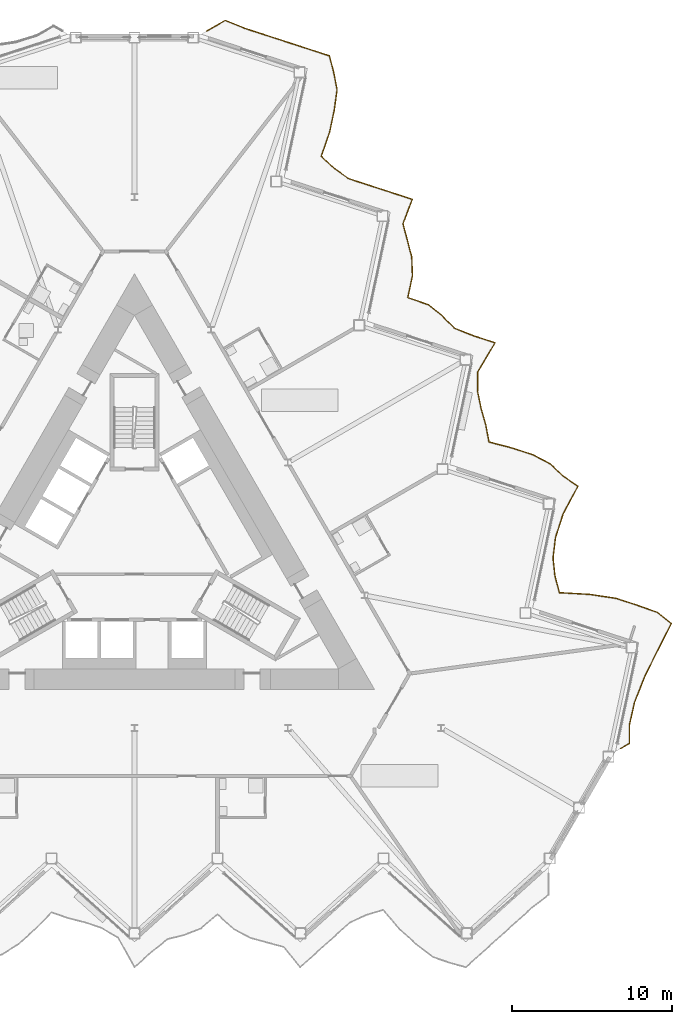
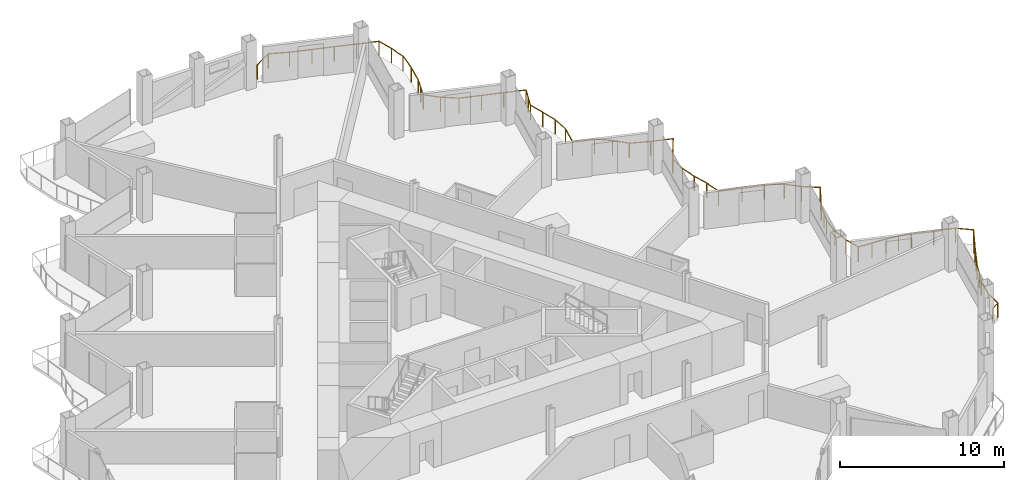
# One storey, part 21 of 23: 1 railing.
"""IFC4 building model written with IfcOpenShell, lengths in metres."""

from ifc_helpers import new_model, si_unit, direction, frame, origin, origin_2d, place, context, subcontext, project, spatial, circle, extrude, material, type_object, element, save


model = new_model("IFC4")

# Units and contexts
model_context = context("Model", 3, precision=1e-05, world=origin(), true_north=direction((0.0, 1.0)))
body_context = subcontext(model_context, "Body", "Model", "MODEL_VIEW")
ifc_project = project(units=[si_unit("LENGTHUNIT", "METRE"), si_unit("AREAUNIT", "SQUARE_METRE"), si_unit("VOLUMEUNIT", "CUBIC_METRE"), si_unit("PLANEANGLEUNIT", "RADIAN"), si_unit("MASSUNIT", "GRAM", prefix="KILO")], contexts=[model_context])

# Site, building, storey
site_placement = place(None, origin())
site = spatial("IfcSite", under=ifc_project, at=site_placement, CompositionType="ELEMENT")
building_placement = place(site_placement, origin())
building = spatial("IfcBuilding", under=site, at=building_placement, Name="Cormorant Prow Tower", CompositionType="ELEMENT")
storey_placement = place(building_placement, frame((0.0, 0.0, 241.800048828125)))
storey = spatial("IfcBuildingStorey", under=building, at=storey_placement, Name="L53", CompositionType="ELEMENT", Elevation=241.800048828125)

# Railing
ifc_material = material(Name="Aluminium 6063-T6", Category="aluminium")
railing_type = type_object("IfcRailingType", Name="Balcony guard 1100", PredefinedType="GUARDRAIL", material=ifc_material)
railing_placement = place(storey_placement, frame((30.37939453125, -12.34228515625, 0.0)))
element("IfcRailing", 1, at=railing_placement, inside=storey, type_object=railing_type, Name="Balcony guard ENE", PredefinedType="GUARDRAIL", context=body_context, shape_type="SweptSolid", body=[
    extrude(circle(Radius=0.02392578125, at=origin_2d()), frame((0.0, 0.0, 1.076171875), z_axis=(0.866204753408, 0.499689228594, 0.0), x_axis=(-0.499689228594, 0.866204753408, 0.0)), (0.0, 0.0, 1.0), 0.63623046875),
    extrude(circle(Radius=0.02392578125, at=origin_2d()), frame((0.551025390625, 0.31787109375, 1.076171875), z_axis=(0.002650887913, 0.99999648639, 0.0), x_axis=(-0.99999648639, 0.002650887913, 0.0)), (0.0, 0.0, 1.0), 1.197265625),
    extrude(circle(Radius=0.02392578125, at=origin_2d()), frame((0.55419921875, 1.51513671875, 1.076171875), z_axis=(0.220085341787, 0.975480621197, 0.0), x_axis=(-0.975480621197, 0.220085341787, 0.0)), (0.0, 0.0, 1.0), 1.40869140625),
    extrude(circle(Radius=0.02392578125, at=origin_2d()), frame((0.8642578125, 2.889404296875, 1.076171875), z_axis=(0.367163194895, 0.930156539683, 0.0), x_axis=(-0.930156539683, 0.367163194895, 0.0)), (0.0, 0.0, 1.0), 1.664306640625),
    extrude(circle(Radius=0.02392578125, at=origin_2d()), frame((1.475341796875, 4.4375, 1.076171875), z_axis=(0.440524924074, 0.897740380773, 0.0), x_axis=(-0.897740380773, 0.440524924074, 0.0)), (0.0, 0.0, 1.0), 1.857666015625),
    extrude(circle(Radius=0.02392578125, at=origin_2d()), frame((2.293701171875, 6.105224609375, 1.076171875), z_axis=(0.456399746897, 0.889774842886, 0.0), x_axis=(-0.889774842886, 0.456399746897, 0.0)), (0.0, 0.0, 1.0), 1.90869140625),
    extrude(circle(Radius=0.02392578125, at=origin_2d()), frame((3.164794921875, 7.803466796875, 1.076171875), z_axis=(-0.776161170753, 0.630534564489, 0.0), x_axis=(-0.630534564489, -0.776161170753, 0.0)), (0.0, 0.0, 1.0), 1.108154296875),
    extrude(circle(Radius=0.02392578125, at=origin_2d()), frame((2.3046875, 8.502197265625, 1.076171875), z_axis=(-0.942017958737, 0.335562461274, 0.0), x_axis=(-0.335562461274, -0.942017958737, 0.0)), (0.0, 0.0, 1.0), 1.359130859375),
    extrude(circle(Radius=0.02392578125, at=origin_2d()), frame((1.0244140625, 8.958251953125, 1.076171875), z_axis=(-0.951073984581, 0.308963227348, 0.0), x_axis=(-0.308963227348, -0.951073984581, 0.0)), (0.0, 0.0, 1.0), 1.39306640625),
    extrude(circle(Radius=0.02392578125, at=origin_2d()), frame((-0.300537109375, 9.388671875, 1.076171875), z_axis=(-0.989086538107, 0.147335739504, 0.0), x_axis=(-0.147335739504, -0.989086538107, 0.0)), (0.0, 0.0, 1.0), 1.66357421875),
    extrude(circle(Radius=0.02392578125, at=origin_2d()), frame((-1.946044921875, 9.6337890625, 1.076171875), z_axis=(-0.99835465144, 0.057340997094, 0.0), x_axis=(-0.057340997094, -0.99835465144, 0.0)), (0.0, 0.0, 1.0), 1.88623046875),
    extrude(circle(Radius=0.02392578125, at=origin_2d()), frame((-3.8291015625, 9.741943359375, 1.076171875), z_axis=(-0.259066355454, 0.965859525745, 0.0), x_axis=(-0.965859525745, -0.259066355454, 0.0)), (0.0, 0.0, 1.0), 1.071533203125),
    extrude(circle(Radius=0.02392578125, at=origin_2d()), frame((-4.106689453125, 10.77685546875, 1.076171875), z_axis=(-0.106974798109, 0.994261732427, 0.0), x_axis=(-0.994261732427, -0.106974798109, 0.0)), (0.0, 0.0, 1.0), 1.132080078125),
    extrude(circle(Radius=0.02392578125, at=origin_2d()), frame((-4.227783203125, 11.90234375, 1.076171875), z_axis=(0.120320103342, 0.992735147324, 0.0), x_axis=(-0.992735147324, 0.120320103342, 0.0)), (0.0, 0.0, 1.0), 1.294677734375),
    extrude(circle(Radius=0.02392578125, at=origin_2d()), frame((-4.072021484375, 13.1875, 1.076171875), z_axis=(0.305752765187, 0.95211094237, 0.0), x_axis=(-0.95211094237, 0.305752765187, 0.0)), (0.0, 0.0, 1.0), 1.541015625),
    extrude(circle(Radius=0.02392578125, at=origin_2d()), frame((-3.600830078125, 14.65478515625, 1.076171875), z_axis=(0.472907071696, 0.881112309266, 0.0), x_axis=(-0.881112309266, 0.472907071696, 0.0)), (0.0, 0.0, 1.0), 1.9658203125),
    extrude(circle(Radius=0.02392578125, at=origin_2d()), frame((-2.671142578125, 16.386962890625, 1.076171875), z_axis=(-0.823195618549, 0.567757847679, 0.0), x_axis=(-0.567757847679, -0.823195618549, 0.0)), (0.0, 0.0, 1.0), 1.14599609375),
    extrude(circle(Radius=0.02392578125, at=origin_2d()), frame((-3.614501953125, 17.03759765625, 1.076171875), z_axis=(-0.725298634831, 0.688434376185, 0.0), x_axis=(-0.688434376185, -0.725298634831, 0.0)), (0.0, 0.0, 1.0), 1.07958984375),
    extrude(circle(Radius=0.02392578125, at=origin_2d()), frame((-4.3974609375, 17.78076171875, 1.076171875), z_axis=(-0.883286506588, 0.468833602976, 0.0), x_axis=(-0.468833602976, -0.883286506588, 0.0)), (0.0, 0.0, 1.0), 1.22119140625),
    extrude(circle(Radius=0.02392578125, at=origin_2d()), frame((-5.47607421875, 18.353271484375, 1.076171875), z_axis=(-0.951057251471, 0.309014731726, 0.0), x_axis=(-0.309014731726, -0.951057251471, 0.0)), (0.0, 0.0, 1.0), 1.392822265625),
    extrude(circle(Radius=0.02392578125, at=origin_2d()), frame((-6.80078125, 18.78369140625, 1.076171875), z_axis=(-0.967831374767, 0.251599741687, 0.0), x_axis=(-0.251599741687, -0.967831374767, 0.0)), (0.0, 0.0, 1.0), 1.474853515625),
    extrude(circle(Radius=0.02392578125, at=origin_2d()), frame((-8.228271484375, 19.15478515625, 1.076171875), z_axis=(-0.185403804057, 0.982662418861, 0.0), x_axis=(-0.982662418861, -0.185403804057, 0.0)), (0.0, 0.0, 1.0), 1.096923828125),
    extrude(circle(Radius=0.02392578125, at=origin_2d()), frame((-8.431640625, 20.232666015625, 1.076171875), z_axis=(-0.27674611135, 0.960943073159, 0.0), x_axis=(-0.960943073159, -0.27674611135, 0.0)), (0.0, 0.0, 1.0), 1.066650390625),
    extrude(circle(Radius=0.02392578125, at=origin_2d()), frame((-8.726806640625, 21.257568359375, 1.076171875), z_axis=(-0.197620585875, 0.980278584913, 0.0), x_axis=(-0.980278584913, -0.197620585875, 0.0)), (0.0, 0.0, 1.0), 1.092041015625),
    extrude(circle(Radius=0.02392578125, at=origin_2d()), frame((-8.942626953125, 22.328125, 1.076171875), z_axis=(0.008737727797, 0.999961825328, 0.0), x_axis=(-0.999961825328, 0.008737727797, 0.0)), (0.0, 0.0, 1.0), 1.201416015625),
    extrude(circle(Radius=0.02392578125, at=origin_2d()), frame((-8.93212890625, 23.529541015625, 1.076171875), z_axis=(0.511801559716, 0.859103697741, 0.0), x_axis=(-0.859103697741, 0.511801559716, 0.0)), (0.0, 0.0, 1.0), 2.120849609375),
    extrude(circle(Radius=0.02392578125, at=origin_2d()), frame((-7.8466796875, 25.3515625, 1.076171875), z_axis=(-0.951057251471, 0.309014731726, 0.0), x_axis=(-0.309014731726, -0.951057251471, 0.0)), (0.0, 0.0, 1.0), 1.392822265625),
    extrude(circle(Radius=0.02392578125, at=origin_2d()), frame((-9.17138671875, 25.781982421875, 1.076171875), z_axis=(-0.930461790481, 0.366388941501, 0.0), x_axis=(-0.366388941501, -0.930461790481, 0.0)), (0.0, 0.0, 1.0), 1.32275390625),
    extrude(circle(Radius=0.02392578125, at=origin_2d()), frame((-10.402099609375, 26.2666015625, 1.076171875), z_axis=(-0.696859617534, 0.717207552561, 0.0), x_axis=(-0.717207552561, -0.696859617534, 0.0)), (0.0, 0.0, 1.0), 1.06787109375),
    extrude(circle(Radius=0.02392578125, at=origin_2d()), frame((-11.146240234375, 27.032470703125, 1.076171875), z_axis=(-0.779386199189, 0.626543815319, 0.0), x_axis=(-0.626543815319, -0.779386199189, 0.0)), (0.0, 0.0, 1.0), 1.110107421875),
    extrude(circle(Radius=0.02392578125, at=origin_2d()), frame((-12.011474609375, 27.72802734375, 1.076171875), z_axis=(-0.944047606344, 0.329809212966, 0.0), x_axis=(-0.329809212966, -0.944047606344, 0.0)), (0.0, 0.0, 1.0), 1.366455078125),
    extrude(circle(Radius=0.02392578125, at=origin_2d()), frame((-13.301513671875, 28.1787109375, 1.076171875), z_axis=(0.208032727926, 0.978121865675, 0.0), x_axis=(-0.978121865675, 0.208032727926, 0.0)), (0.0, 0.0, 1.0), 1.39306640625),
    extrude(circle(Radius=0.02392578125, at=origin_2d()), frame((-13.01171875, 29.541259765625, 1.076171875), z_axis=(-0.038176741848, 0.999271002472, 0.0), x_axis=(-0.999271002472, -0.038176741848, 0.0)), (0.0, 0.0, 1.0), 1.170166015625),
    extrude(circle(Radius=0.02392578125, at=origin_2d()), frame((-13.056396484375, 30.710693359375, 1.076171875), z_axis=(-0.25269039223, 0.967547190412, 0.0), x_axis=(-0.967547190412, -0.25269039223, 0.0)), (0.0, 0.0, 1.0), 1.073486328125),
    extrude(circle(Radius=0.02392578125, at=origin_2d()), frame((-13.32763671875, 31.749267578125, 1.076171875), z_axis=(-0.256812329008, 0.966461291346, 0.0), x_axis=(-0.966461291346, -0.256812329008, 0.0)), (0.0, 0.0, 1.0), 1.072265625),
    extrude(circle(Radius=0.02392578125, at=origin_2d()), frame((-13.60302734375, 32.78564453125, 1.076171875), z_axis=(0.354667722284, 0.934992410007, 0.0), x_axis=(-0.934992410007, 0.354667722284, 0.0)), (0.0, 0.0, 1.0), 1.636962890625),
    extrude(circle(Radius=0.02392578125, at=origin_2d()), frame((-13.0224609375, 34.316162109375, 1.076171875), z_axis=(-0.951057251471, 0.309014731726, 0.0), x_axis=(-0.309014731726, -0.951057251471, 0.0)), (0.0, 0.0, 1.0), 1.392822265625),
    extrude(circle(Radius=0.02392578125, at=origin_2d()), frame((-14.34716796875, 34.74658203125, 1.076171875), z_axis=(-0.951057251471, 0.309014731726, 0.0), x_axis=(-0.309014731726, -0.951057251471, 0.0)), (0.0, 0.0, 1.0), 1.392822265625),
    extrude(circle(Radius=0.02392578125, at=origin_2d()), frame((-15.671875, 35.177001953125, 1.076171875), z_axis=(-0.951057251471, 0.309014731726, 0.0), x_axis=(-0.309014731726, -0.951057251471, 0.0)), (0.0, 0.0, 1.0), 1.392822265625),
    extrude(circle(Radius=0.02392578125, at=origin_2d()), frame((-16.99658203125, 35.607421875, 1.076171875), z_axis=(-0.814977832879, 0.579492132747, 0.0), x_axis=(-0.579492132747, -0.814977832879, 0.0)), (0.0, 0.0, 1.0), 1.138427734375),
    extrude(circle(Radius=0.02392578125, at=origin_2d()), frame((-17.92431640625, 36.26708984375, 1.076171875), z_axis=(-0.727695719565, 0.685900094567, 0.0), x_axis=(-0.685900094567, -0.727695719565, 0.0)), (0.0, 0.0, 1.0), 1.08056640625),
    extrude(circle(Radius=0.02392578125, at=origin_2d()), frame((-18.710693359375, 37.00830078125, 1.076171875), z_axis=(0.329863576725, 0.944028612252, 0.0), x_axis=(-0.944028612252, 0.329863576725, 0.0)), (0.0, 0.0, 1.0), 1.586181640625),
    extrude(circle(Radius=0.02392578125, at=origin_2d()), frame((-18.1875, 38.505615234375, 1.076171875), z_axis=(0.207865044312, 0.978157514592, 0.0), x_axis=(-0.978157514592, 0.207865044312, 0.0)), (0.0, 0.0, 1.0), 1.39306640625),
    extrude(circle(Radius=0.02392578125, at=origin_2d()), frame((-17.89794921875, 39.8681640625, 1.076171875), z_axis=(0.134838558459, 0.990867581038, 0.0), x_axis=(-0.990867581038, 0.134838558459, 0.0)), (0.0, 0.0, 1.0), 1.30908203125),
    extrude(circle(Radius=0.02392578125, at=origin_2d()), frame((-17.721435546875, 41.165283203125, 1.076171875), z_axis=(-0.189938725349, 0.981795946525, 0.0), x_axis=(-0.981795946525, -0.189938725349, 0.0)), (0.0, 0.0, 1.0), 1.09521484375),
    extrude(circle(Radius=0.02392578125, at=origin_2d()), frame((-17.929443359375, 42.240478515625, 1.076171875), z_axis=(-0.250173509291, 0.968201020062, 0.0), x_axis=(-0.968201020062, -0.250173509291, 0.0)), (0.0, 0.0, 1.0), 1.074462890625),
    extrude(circle(Radius=0.02392578125, at=origin_2d()), frame((-18.1982421875, 43.28076171875, 1.076171875), z_axis=(-0.951057251471, 0.309014731726, 0.0), x_axis=(-0.309014731726, -0.951057251471, 0.0)), (0.0, 0.0, 1.0), 1.392822265625),
    extrude(circle(Radius=0.02392578125, at=origin_2d()), frame((-19.52294921875, 43.711181640625, 1.076171875), z_axis=(-0.951057251471, 0.309014731726, 0.0), x_axis=(-0.309014731726, -0.951057251471, 0.0)), (0.0, 0.0, 1.0), 1.392822265625),
    extrude(circle(Radius=0.02392578125, at=origin_2d()), frame((-20.84765625, 44.1416015625, 1.076171875), z_axis=(-0.951057251471, 0.309014731726, 0.0), x_axis=(-0.309014731726, -0.951057251471, 0.0)), (0.0, 0.0, 1.0), 1.392822265625),
    extrude(circle(Radius=0.02392578125, at=origin_2d()), frame((-22.17236328125, 44.572021484375, 1.076171875), z_axis=(-0.951073984581, 0.308963227348, 0.0), x_axis=(-0.308963227348, -0.951073984581, 0.0)), (0.0, 0.0, 1.0), 1.39306640625),
    extrude(circle(Radius=0.02392578125, at=origin_2d()), frame((-23.497314453125, 45.00244140625, 1.076171875), z_axis=(-0.926434113038, 0.376456948666, 0.0), x_axis=(-0.376456948666, -0.926434113038, 0.0)), (0.0, 0.0, 1.0), 1.311279296875),
    extrude(circle(Radius=0.02392578125, at=origin_2d()), frame((-24.712158203125, 45.49609375, 1.076171875), z_axis=(-0.866104076882, -0.499863709433, 0.0), x_axis=(0.499863709433, -0.866104076882, 0.0)), (0.0, 0.0, 1.0), 1.3466796875),
    extrude(circle(Radius=0.02099609375, at=origin_2d()), origin(), (0.0, 0.0, 1.0), 1.052001953125),
    extrude(circle(Radius=0.02099609375, at=origin_2d()), frame((0.551025390625, 0.31787109375, 0.0)), (0.0, 0.0, 1.0), 1.052001953125),
    extrude(circle(Radius=0.02099609375, at=origin_2d()), frame((0.55419921875, 1.51513671875, 0.0)), (0.0, 0.0, 1.0), 1.052001953125),
    extrude(circle(Radius=0.02099609375, at=origin_2d()), frame((0.8642578125, 2.889404296875, 0.0)), (0.0, 0.0, 1.0), 1.052001953125),
    extrude(circle(Radius=0.02099609375, at=origin_2d()), frame((1.169921875, 3.66357421875, 0.0)), (0.0, 0.0, 1.0), 1.052001953125),
    extrude(circle(Radius=0.02099609375, at=origin_2d()), frame((1.475341796875, 4.4375, 0.0)), (0.0, 0.0, 1.0), 1.052001953125),
    extrude(circle(Radius=0.02099609375, at=origin_2d()), frame((1.884521484375, 5.271484375, 0.0)), (0.0, 0.0, 1.0), 1.052001953125),
    extrude(circle(Radius=0.02099609375, at=origin_2d()), frame((2.293701171875, 6.105224609375, 0.0)), (0.0, 0.0, 1.0), 1.052001953125),
    extrude(circle(Radius=0.02099609375, at=origin_2d()), frame((2.729248046875, 6.954345703125, 0.0)), (0.0, 0.0, 1.0), 1.052001953125),
    extrude(circle(Radius=0.02099609375, at=origin_2d()), frame((3.164794921875, 7.803466796875, 0.0)), (0.0, 0.0, 1.0), 1.052001953125),
    extrude(circle(Radius=0.02099609375, at=origin_2d()), frame((2.3046875, 8.502197265625, 0.0)), (0.0, 0.0, 1.0), 1.052001953125),
    extrude(circle(Radius=0.02099609375, at=origin_2d()), frame((1.0244140625, 8.958251953125, 0.0)), (0.0, 0.0, 1.0), 1.052001953125),
    extrude(circle(Radius=0.02099609375, at=origin_2d()), frame((-0.300537109375, 9.388671875, 0.0)), (0.0, 0.0, 1.0), 1.052001953125),
    extrude(circle(Radius=0.02099609375, at=origin_2d()), frame((-1.123291015625, 9.51123046875, 0.0)), (0.0, 0.0, 1.0), 1.052001953125),
    extrude(circle(Radius=0.02099609375, at=origin_2d()), frame((-1.946044921875, 9.6337890625, 0.0)), (0.0, 0.0, 1.0), 1.052001953125),
    extrude(circle(Radius=0.02099609375, at=origin_2d()), frame((-2.8876953125, 9.68798828125, 0.0)), (0.0, 0.0, 1.0), 1.052001953125),
    extrude(circle(Radius=0.02099609375, at=origin_2d()), frame((-3.8291015625, 9.741943359375, 0.0)), (0.0, 0.0, 1.0), 1.052001953125),
    extrude(circle(Radius=0.02099609375, at=origin_2d()), frame((-4.106689453125, 10.77685546875, 0.0)), (0.0, 0.0, 1.0), 1.052001953125),
    extrude(circle(Radius=0.02099609375, at=origin_2d()), frame((-4.227783203125, 11.90234375, 0.0)), (0.0, 0.0, 1.0), 1.052001953125),
    extrude(circle(Radius=0.02099609375, at=origin_2d()), frame((-4.072021484375, 13.1875, 0.0)), (0.0, 0.0, 1.0), 1.052001953125),
    extrude(circle(Radius=0.02099609375, at=origin_2d()), frame((-3.83642578125, 13.921142578125, 0.0)), (0.0, 0.0, 1.0), 1.052001953125),
    extrude(circle(Radius=0.02099609375, at=origin_2d()), frame((-3.600830078125, 14.65478515625, 0.0)), (0.0, 0.0, 1.0), 1.052001953125),
    extrude(circle(Radius=0.02099609375, at=origin_2d()), frame((-3.135986328125, 15.52099609375, 0.0)), (0.0, 0.0, 1.0), 1.052001953125),
    extrude(circle(Radius=0.02099609375, at=origin_2d()), frame((-2.671142578125, 16.386962890625, 0.0)), (0.0, 0.0, 1.0), 1.052001953125),
    extrude(circle(Radius=0.02099609375, at=origin_2d()), frame((-3.614501953125, 17.03759765625, 0.0)), (0.0, 0.0, 1.0), 1.052001953125),
    extrude(circle(Radius=0.02099609375, at=origin_2d()), frame((-4.3974609375, 17.78076171875, 0.0)), (0.0, 0.0, 1.0), 1.052001953125),
    extrude(circle(Radius=0.02099609375, at=origin_2d()), frame((-5.47607421875, 18.353271484375, 0.0)), (0.0, 0.0, 1.0), 1.052001953125),
    extrude(circle(Radius=0.02099609375, at=origin_2d()), frame((-6.80078125, 18.78369140625, 0.0)), (0.0, 0.0, 1.0), 1.052001953125),
    extrude(circle(Radius=0.02099609375, at=origin_2d()), frame((-8.228271484375, 19.15478515625, 0.0)), (0.0, 0.0, 1.0), 1.052001953125),
    extrude(circle(Radius=0.02099609375, at=origin_2d()), frame((-8.431640625, 20.232666015625, 0.0)), (0.0, 0.0, 1.0), 1.052001953125),
    extrude(circle(Radius=0.02099609375, at=origin_2d()), frame((-8.726806640625, 21.257568359375, 0.0)), (0.0, 0.0, 1.0), 1.052001953125),
    extrude(circle(Radius=0.02099609375, at=origin_2d()), frame((-8.942626953125, 22.328125, 0.0)), (0.0, 0.0, 1.0), 1.052001953125),
    extrude(circle(Radius=0.02099609375, at=origin_2d()), frame((-8.93212890625, 23.529541015625, 0.0)), (0.0, 0.0, 1.0), 1.052001953125),
    extrude(circle(Radius=0.02099609375, at=origin_2d()), frame((-8.389404296875, 24.4404296875, 0.0)), (0.0, 0.0, 1.0), 1.052001953125),
    extrude(circle(Radius=0.02099609375, at=origin_2d()), frame((-7.8466796875, 25.3515625, 0.0)), (0.0, 0.0, 1.0), 1.052001953125),
    extrude(circle(Radius=0.02099609375, at=origin_2d()), frame((-9.17138671875, 25.781982421875, 0.0)), (0.0, 0.0, 1.0), 1.052001953125),
    extrude(circle(Radius=0.02099609375, at=origin_2d()), frame((-10.402099609375, 26.2666015625, 0.0)), (0.0, 0.0, 1.0), 1.052001953125),
    extrude(circle(Radius=0.02099609375, at=origin_2d()), frame((-11.146240234375, 27.032470703125, 0.0)), (0.0, 0.0, 1.0), 1.052001953125),
    extrude(circle(Radius=0.02099609375, at=origin_2d()), frame((-12.011474609375, 27.72802734375, 0.0)), (0.0, 0.0, 1.0), 1.052001953125),
    extrude(circle(Radius=0.02099609375, at=origin_2d()), frame((-13.301513671875, 28.1787109375, 0.0)), (0.0, 0.0, 1.0), 1.052001953125),
    extrude(circle(Radius=0.02099609375, at=origin_2d()), frame((-13.01171875, 29.541259765625, 0.0)), (0.0, 0.0, 1.0), 1.052001953125),
    extrude(circle(Radius=0.02099609375, at=origin_2d()), frame((-13.056396484375, 30.710693359375, 0.0)), (0.0, 0.0, 1.0), 1.052001953125),
    extrude(circle(Radius=0.02099609375, at=origin_2d()), frame((-13.32763671875, 31.749267578125, 0.0)), (0.0, 0.0, 1.0), 1.052001953125),
    extrude(circle(Radius=0.02099609375, at=origin_2d()), frame((-13.60302734375, 32.78564453125, 0.0)), (0.0, 0.0, 1.0), 1.052001953125),
    extrude(circle(Radius=0.02099609375, at=origin_2d()), frame((-13.312744140625, 33.55078125, 0.0)), (0.0, 0.0, 1.0), 1.052001953125),
    extrude(circle(Radius=0.02099609375, at=origin_2d()), frame((-13.0224609375, 34.316162109375, 0.0)), (0.0, 0.0, 1.0), 1.052001953125),
    extrude(circle(Radius=0.02099609375, at=origin_2d()), frame((-14.34716796875, 34.74658203125, 0.0)), (0.0, 0.0, 1.0), 1.052001953125),
    extrude(circle(Radius=0.02099609375, at=origin_2d()), frame((-15.671875, 35.177001953125, 0.0)), (0.0, 0.0, 1.0), 1.052001953125),
    extrude(circle(Radius=0.02099609375, at=origin_2d()), frame((-16.99658203125, 35.607421875, 0.0)), (0.0, 0.0, 1.0), 1.052001953125),
    extrude(circle(Radius=0.02099609375, at=origin_2d()), frame((-17.92431640625, 36.26708984375, 0.0)), (0.0, 0.0, 1.0), 1.052001953125),
    extrude(circle(Radius=0.02099609375, at=origin_2d()), frame((-18.710693359375, 37.00830078125, 0.0)), (0.0, 0.0, 1.0), 1.052001953125),
    extrude(circle(Radius=0.02099609375, at=origin_2d()), frame((-18.44921875, 37.7568359375, 0.0)), (0.0, 0.0, 1.0), 1.052001953125),
    extrude(circle(Radius=0.02099609375, at=origin_2d()), frame((-18.1875, 38.505615234375, 0.0)), (0.0, 0.0, 1.0), 1.052001953125),
    extrude(circle(Radius=0.02099609375, at=origin_2d()), frame((-17.89794921875, 39.8681640625, 0.0)), (0.0, 0.0, 1.0), 1.052001953125),
    extrude(circle(Radius=0.02099609375, at=origin_2d()), frame((-17.721435546875, 41.165283203125, 0.0)), (0.0, 0.0, 1.0), 1.052001953125),
    extrude(circle(Radius=0.02099609375, at=origin_2d()), frame((-17.929443359375, 42.240478515625, 0.0)), (0.0, 0.0, 1.0), 1.052001953125),
    extrude(circle(Radius=0.02099609375, at=origin_2d()), frame((-18.1982421875, 43.28076171875, 0.0)), (0.0, 0.0, 1.0), 1.052001953125),
    extrude(circle(Radius=0.02099609375, at=origin_2d()), frame((-19.52294921875, 43.711181640625, 0.0)), (0.0, 0.0, 1.0), 1.052001953125),
    extrude(circle(Radius=0.02099609375, at=origin_2d()), frame((-20.84765625, 44.1416015625, 0.0)), (0.0, 0.0, 1.0), 1.052001953125),
    extrude(circle(Radius=0.02099609375, at=origin_2d()), frame((-22.17236328125, 44.572021484375, 0.0)), (0.0, 0.0, 1.0), 1.052001953125),
    extrude(circle(Radius=0.02099609375, at=origin_2d()), frame((-23.497314453125, 45.00244140625, 0.0)), (0.0, 0.0, 1.0), 1.052001953125),
    extrude(circle(Radius=0.02099609375, at=origin_2d()), frame((-24.712158203125, 45.49609375, 0.0)), (0.0, 0.0, 1.0), 1.052001953125),
    extrude(circle(Radius=0.02099609375, at=origin_2d()), frame((-25.87841796875, 44.822998046875, 0.0)), (0.0, 0.0, 1.0), 1.052001953125),
])

save(model, "model.ifc")
